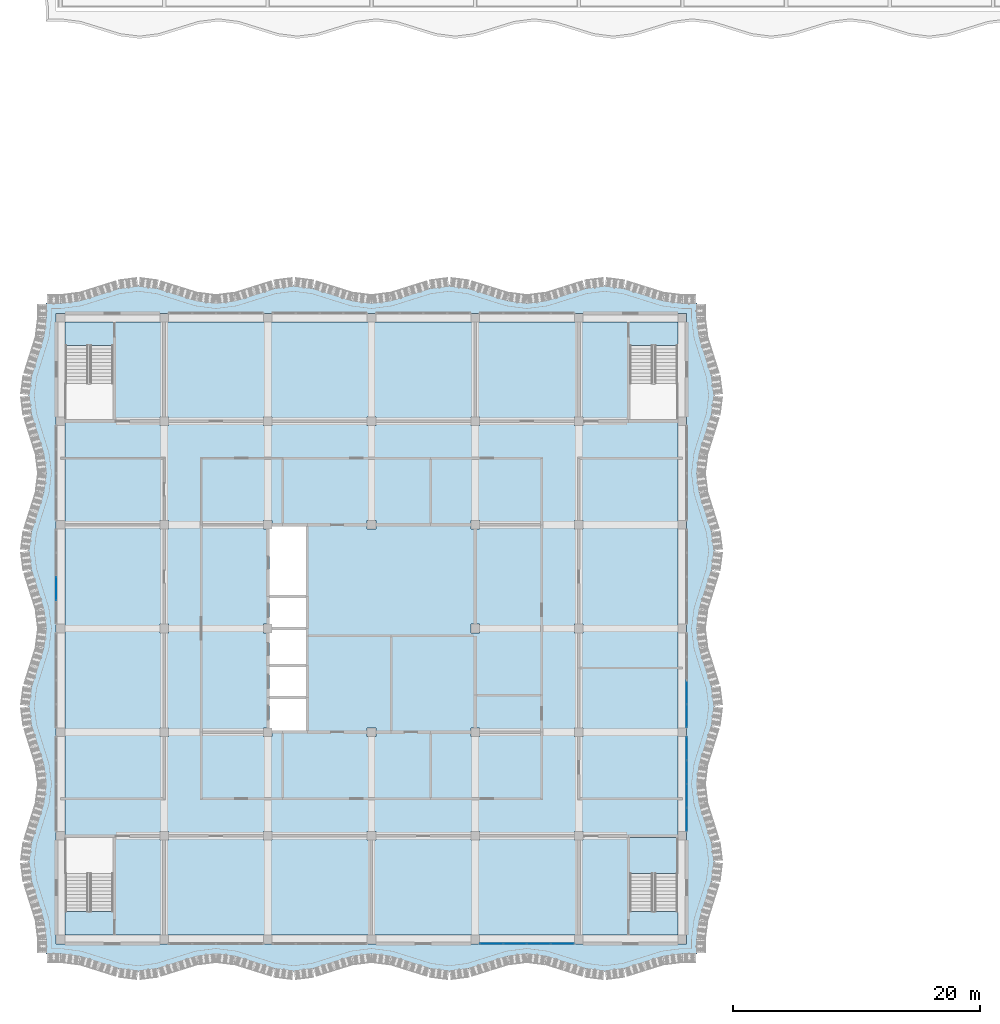
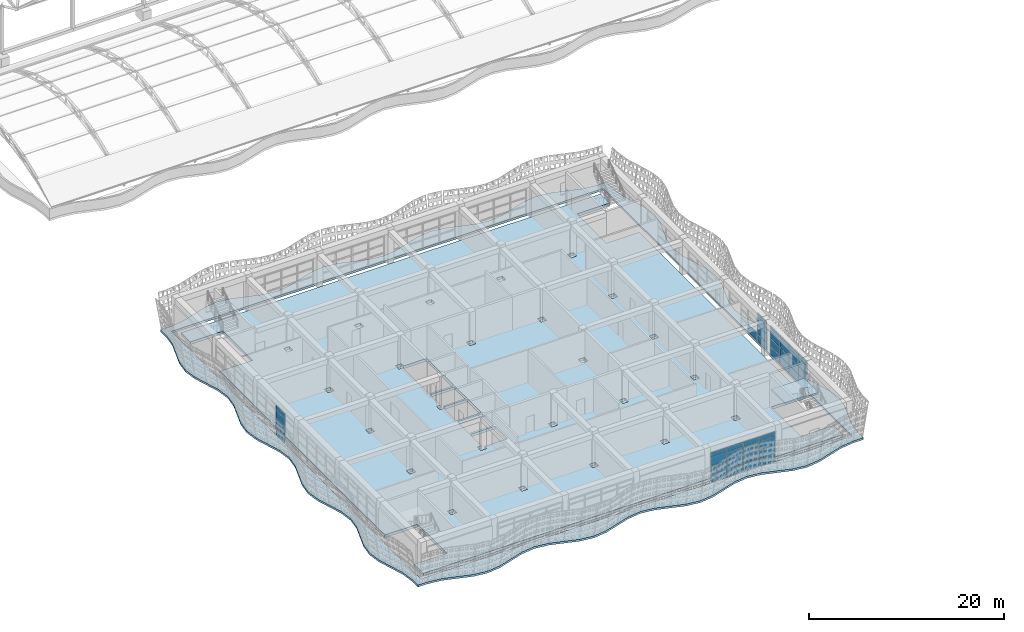
# One storey, part 97 of 163: 41 plates, 3 slabs, 5 elements without a shape of their own.
"""IFC4 building model written with IfcOpenShell, lengths in metres."""

from ifc_helpers import new_model, si_unit, direction, frame, origin, origin_2d, place, context, subcontext, project, spatial, polyline, rectangle, outline, extrude, material, layer, layer_set, type_object, element, aggregate, save


model = new_model("IFC4")

# Units and contexts
model_context = context("Model", 3, precision=1e-05, world=origin(), true_north=direction((0.0, 1.0)))
body_context = subcontext(model_context, "Body", "Model", "MODEL_VIEW")
ifc_project = project(units=[si_unit("LENGTHUNIT", "METRE"), si_unit("AREAUNIT", "SQUARE_METRE"), si_unit("VOLUMEUNIT", "CUBIC_METRE"), si_unit("PLANEANGLEUNIT", "RADIAN"), si_unit("MASSUNIT", "GRAM", prefix="KILO")], contexts=[model_context])

# Site, building, storey
site_placement = place(None, origin())
site = spatial("IfcSite", under=ifc_project, at=site_placement, CompositionType="ELEMENT")
building_placement = place(site_placement, origin())
building = spatial("IfcBuilding", under=site, at=building_placement, Name="Rain Tree Exposition and Congress Centre", CompositionType="ELEMENT")
storey_placement = place(building_placement, frame((0.0, 0.0, 10.5)))
storey = spatial("IfcBuildingStorey", under=building, at=storey_placement, Name="L02", CompositionType="ELEMENT", Elevation=10.5)

# Slab
ifc_material_1 = material(Name="Concrete C40/50", Category="concrete")
ifc_layer_1 = layer(ifc_material_1, 0.25)
ifc_layer_set_1 = layer_set([ifc_layer_1], Name="Concrete C40/50")
slab_type_1 = type_object("IfcSlabType", Name="Wave ledge slab 250", PredefinedType="FLOOR", material=ifc_layer_set_1)
slab_1_placement = place(storey_placement, frame((0.0, 0.0, -0.25)))
element("IfcSlab", 1, at=slab_1_placement, inside=storey, type_object=slab_type_1, Name="wing/ledge/L02/01", PredefinedType="FLOOR", context=body_context, shape_type="SweptSolid", body=[
    extrude(outline(polyline([(-1.1875, -1.1875), (0.0, -1.1875), (1.574951171875, -1.392578125), (3.14990234375, -1.8876953125), (4.72509765625, -2.382568359375), (6.300048828125, -2.587646484375), (7.875, -2.382568359375), (9.449951171875, -1.8876953125), (11.02490234375, -1.392578125), (12.60009765625, -1.1875), (14.175048828125, -1.392578125), (15.75, -1.8876953125), (17.324951171875, -2.382568359375), (18.89990234375, -2.587646484375), (20.47509765625, -2.382568359375), (22.050048828125, -1.8876953125), (23.625, -1.392578125), (25.199951171875, -1.1875), (26.77490234375, -1.392578125), (28.35009765625, -1.8876953125), (29.925048828125, -2.382568359375), (31.5, -2.587646484375), (33.074951171875, -2.382568359375), (34.64990234375, -1.8876953125), (36.22509765625, -1.392578125), (37.800048828125, -1.1875), (39.375, -1.392578125), (40.949951171875, -1.8876953125), (42.52490234375, -2.382568359375), (44.10009765625, -2.587646484375), (45.675048828125, -2.382568359375), (47.25, -1.8876953125), (48.824951171875, -1.392578125), (50.39990234375, -1.1875), (51.587646484375, -1.1875), (51.587646484375, 0.0), (51.79248046875, 1.574951171875), (52.28759765625, 3.14990234375), (52.78271484375, 4.72509765625), (52.987548828125, 6.300048828125), (52.78271484375, 7.875), (52.28759765625, 9.449951171875), (51.79248046875, 11.02490234375), (51.587646484375, 12.60009765625), (51.79248046875, 14.175048828125), (52.28759765625, 15.75), (52.78271484375, 17.324951171875), (52.987548828125, 18.89990234375), (52.78271484375, 20.47509765625), (52.28759765625, 22.050048828125), (51.79248046875, 23.625), (51.587646484375, 25.199951171875), (51.79248046875, 26.77490234375), (52.28759765625, 28.35009765625), (52.78271484375, 29.925048828125), (52.987548828125, 31.5), (52.78271484375, 33.074951171875), (52.28759765625, 34.64990234375), (51.79248046875, 36.22509765625), (51.587646484375, 37.800048828125), (51.79248046875, 39.375), (52.28759765625, 40.949951171875), (52.78271484375, 42.52490234375), (52.987548828125, 44.10009765625), (52.78271484375, 45.675048828125), (52.28759765625, 47.25), (51.79248046875, 48.824951171875), (51.587646484375, 50.39990234375), (51.587646484375, 51.587646484375), (50.39990234375, 51.587646484375), (48.824951171875, 51.79248046875), (47.25, 52.28759765625), (45.675048828125, 52.78271484375), (44.10009765625, 52.987548828125), (42.52490234375, 52.78271484375), (40.949951171875, 52.28759765625), (39.375, 51.79248046875), (37.800048828125, 51.587646484375), (36.22509765625, 51.79248046875), (34.64990234375, 52.28759765625), (33.074951171875, 52.78271484375), (31.5, 52.987548828125), (29.925048828125, 52.78271484375), (28.35009765625, 52.28759765625), (26.77490234375, 51.79248046875), (25.199951171875, 51.587646484375), (23.625, 51.79248046875), (22.050048828125, 52.28759765625), (20.47509765625, 52.78271484375), (18.89990234375, 52.987548828125), (17.324951171875, 52.78271484375), (15.75, 52.28759765625), (14.175048828125, 51.79248046875), (12.60009765625, 51.587646484375), (11.02490234375, 51.79248046875), (9.449951171875, 52.28759765625), (7.875, 52.78271484375), (6.300048828125, 52.987548828125), (4.72509765625, 52.78271484375), (3.14990234375, 52.28759765625), (1.574951171875, 51.79248046875), (0.0, 51.587646484375), (-1.1875, 51.587646484375), (-1.1875, 50.39990234375), (-1.392578125, 48.824951171875), (-1.8876953125, 47.25), (-2.382568359375, 45.675048828125), (-2.587646484375, 44.10009765625), (-2.382568359375, 42.52490234375), (-1.8876953125, 40.949951171875), (-1.392578125, 39.375), (-1.1875, 37.800048828125), (-1.392578125, 36.22509765625), (-1.8876953125, 34.64990234375), (-2.382568359375, 33.074951171875), (-2.587646484375, 31.5), (-2.382568359375, 29.925048828125), (-1.8876953125, 28.35009765625), (-1.392578125, 26.77490234375), (-1.1875, 25.199951171875), (-1.392578125, 23.625), (-1.8876953125, 22.050048828125), (-2.382568359375, 20.47509765625), (-2.587646484375, 18.89990234375), (-2.382568359375, 17.324951171875), (-1.8876953125, 15.75), (-1.392578125, 14.175048828125), (-1.1875, 12.60009765625), (-1.392578125, 11.02490234375), (-1.8876953125, 9.449951171875), (-2.382568359375, 7.875), (-2.587646484375, 6.300048828125), (-2.382568359375, 4.72509765625), (-1.8876953125, 3.14990234375), (-1.392578125, 1.574951171875), (-1.1875, 0.0), (-1.1875, -1.1875)]), holes=[polyline([(50.75, 50.75), (50.75, -0.35009765625), (-0.35009765625, -0.35009765625), (-0.35009765625, 50.75), (50.75, 50.75)])]), origin(), (0.0, 0.0, 1.0), 0.25),
])

# Curtain wall, plates
ifc_material_2 = material(Name="Aluminium curtain wall", Category="aluminium")
curtain_wall_type = type_object("IfcCurtainWallType", Name="Wing curtain wall 1925", PredefinedType="NOTDEFINED", material=ifc_material_2)
curtain_wall_1_placement = place(storey_placement, origin())
curtain_wall_1 = element("IfcCurtainWall", 2, at=curtain_wall_1_placement, inside=storey, type_object=curtain_wall_type, Name="Curtain wall CWW303", PredefinedType="NOTDEFINED")
ifc_material_3 = material(Name="Double glazed unit", Category="glass")
ifc_layer_2 = layer(ifc_material_3, 0.028076171875)
ifc_layer_set_2 = layer_set([ifc_layer_2], Name="Double glazed unit")
plate_type = type_object("IfcPlateType", Name="Wing glazing panel 28", PredefinedType="CURTAIN_PANEL", material=ifc_layer_set_2)
plate_1_placement = place(storey_placement, frame((34.927490234375, -0.35009765625, 0.06005859375), z_axis=(0.0, 0.0, 1.0), x_axis=(1.0, 0.0, 0.0)))
plate_1 = element("IfcPlate", 3, at=plate_1_placement, type_object=plate_type, Name="CWW303 panel 1.1", PredefinedType="CURTAIN_PANEL", context=body_context, shape_type="SweptSolid", body=[
    extrude(rectangle(XDim=1.8349609375, YDim=0.028076171875, at=origin_2d()), origin(), (0.0, 0.0, 1.0), 0.9599609375),
])
plate_2_placement = place(storey_placement, frame((34.927490234375, -0.35009765625, 1.080078125), z_axis=(0.0, 0.0, 1.0), x_axis=(1.0, 0.0, 0.0)))
plate_2 = element("IfcPlate", 4, at=plate_2_placement, type_object=plate_type, Name="CWW303 panel 1.2", PredefinedType="CURTAIN_PANEL", context=body_context, shape_type="SweptSolid", body=[
    extrude(rectangle(XDim=1.8349609375, YDim=0.028076171875, at=origin_2d()), origin(), (0.0, 0.0, 1.0), 0.989990234375),
])
plate_3_placement = place(storey_placement, frame((34.927490234375, -0.35009765625, 2.1298828125), z_axis=(0.0, 0.0, 1.0), x_axis=(1.0, 0.0, 0.0)))
plate_3 = element("IfcPlate", 5, at=plate_3_placement, type_object=plate_type, Name="CWW303 panel 1.3", PredefinedType="CURTAIN_PANEL", context=body_context, shape_type="SweptSolid", body=[
    extrude(rectangle(XDim=1.8349609375, YDim=0.028076171875, at=origin_2d()), origin(), (0.0, 0.0, 1.0), 0.989990234375),
])
plate_4_placement = place(storey_placement, frame((34.927490234375, -0.35009765625, 3.179931640625), z_axis=(0.0, 0.0, 1.0), x_axis=(1.0, 0.0, 0.0)))
plate_4 = element("IfcPlate", 6, at=plate_4_placement, type_object=plate_type, Name="CWW303 panel 1.4", PredefinedType="CURTAIN_PANEL", context=body_context, shape_type="SweptSolid", body=[
    extrude(rectangle(XDim=1.8349609375, YDim=0.028076171875, at=origin_2d()), origin(), (0.0, 0.0, 1.0), 0.56005859375),
])
plate_5_placement = place(storey_placement, frame((36.83740234375, -0.35009765625, 0.06005859375), z_axis=(0.0, 0.0, 1.0), x_axis=(1.0, 0.0, 0.0)))
plate_5 = element("IfcPlate", 7, at=plate_5_placement, type_object=plate_type, Name="CWW303 panel 2.1", PredefinedType="CURTAIN_PANEL", context=body_context, shape_type="SweptSolid", body=[
    extrude(rectangle(XDim=1.864990234375, YDim=0.028076171875, at=origin_2d()), origin(), (0.0, 0.0, 1.0), 0.9599609375),
])
plate_6_placement = place(storey_placement, frame((36.83740234375, -0.35009765625, 1.080078125), z_axis=(0.0, 0.0, 1.0), x_axis=(1.0, 0.0, 0.0)))
plate_6 = element("IfcPlate", 8, at=plate_6_placement, type_object=plate_type, Name="CWW303 panel 2.2", PredefinedType="CURTAIN_PANEL", context=body_context, shape_type="SweptSolid", body=[
    extrude(rectangle(XDim=1.864990234375, YDim=0.028076171875, at=origin_2d()), origin(), (0.0, 0.0, 1.0), 0.989990234375),
])
plate_7_placement = place(storey_placement, frame((36.83740234375, -0.35009765625, 2.1298828125), z_axis=(0.0, 0.0, 1.0), x_axis=(1.0, 0.0, 0.0)))
plate_7 = element("IfcPlate", 9, at=plate_7_placement, type_object=plate_type, Name="CWW303 panel 2.3", PredefinedType="CURTAIN_PANEL", context=body_context, shape_type="SweptSolid", body=[
    extrude(rectangle(XDim=1.864990234375, YDim=0.028076171875, at=origin_2d()), origin(), (0.0, 0.0, 1.0), 0.989990234375),
])
plate_8_placement = place(storey_placement, frame((36.83740234375, -0.35009765625, 3.179931640625), z_axis=(0.0, 0.0, 1.0), x_axis=(1.0, 0.0, 0.0)))
plate_8 = element("IfcPlate", 10, at=plate_8_placement, type_object=plate_type, Name="CWW303 panel 2.4", PredefinedType="CURTAIN_PANEL", context=body_context, shape_type="SweptSolid", body=[
    extrude(rectangle(XDim=1.864990234375, YDim=0.028076171875, at=origin_2d()), origin(), (0.0, 0.0, 1.0), 0.56005859375),
])
plate_9_placement = place(storey_placement, frame((38.762451171875, -0.35009765625, 0.06005859375), z_axis=(0.0, 0.0, 1.0), x_axis=(1.0, 0.0, 0.0)))
plate_9 = element("IfcPlate", 11, at=plate_9_placement, type_object=plate_type, Name="CWW303 panel 3.1", PredefinedType="CURTAIN_PANEL", context=body_context, shape_type="SweptSolid", body=[
    extrude(rectangle(XDim=1.864990234375, YDim=0.028076171875, at=origin_2d()), origin(), (0.0, 0.0, 1.0), 0.9599609375),
])
plate_10_placement = place(storey_placement, frame((38.762451171875, -0.35009765625, 1.080078125), z_axis=(0.0, 0.0, 1.0), x_axis=(1.0, 0.0, 0.0)))
plate_10 = element("IfcPlate", 12, at=plate_10_placement, type_object=plate_type, Name="CWW303 panel 3.2", PredefinedType="CURTAIN_PANEL", context=body_context, shape_type="SweptSolid", body=[
    extrude(rectangle(XDim=1.864990234375, YDim=0.028076171875, at=origin_2d()), origin(), (0.0, 0.0, 1.0), 0.989990234375),
])
plate_11_placement = place(storey_placement, frame((38.762451171875, -0.35009765625, 2.1298828125), z_axis=(0.0, 0.0, 1.0), x_axis=(1.0, 0.0, 0.0)))
plate_11 = element("IfcPlate", 13, at=plate_11_placement, type_object=plate_type, Name="CWW303 panel 3.3", PredefinedType="CURTAIN_PANEL", context=body_context, shape_type="SweptSolid", body=[
    extrude(rectangle(XDim=1.864990234375, YDim=0.028076171875, at=origin_2d()), origin(), (0.0, 0.0, 1.0), 0.989990234375),
])
plate_12_placement = place(storey_placement, frame((38.762451171875, -0.35009765625, 3.179931640625), z_axis=(0.0, 0.0, 1.0), x_axis=(1.0, 0.0, 0.0)))
plate_12 = element("IfcPlate", 14, at=plate_12_placement, type_object=plate_type, Name="CWW303 panel 3.4", PredefinedType="CURTAIN_PANEL", context=body_context, shape_type="SweptSolid", body=[
    extrude(rectangle(XDim=1.864990234375, YDim=0.028076171875, at=origin_2d()), origin(), (0.0, 0.0, 1.0), 0.56005859375),
])
plate_13_placement = place(storey_placement, frame((40.672607421875, -0.35009765625, 0.06005859375), z_axis=(0.0, 0.0, 1.0), x_axis=(1.0, 0.0, 0.0)))
plate_13 = element("IfcPlate", 15, at=plate_13_placement, type_object=plate_type, Name="CWW303 panel 4.1", PredefinedType="CURTAIN_PANEL", context=body_context, shape_type="SweptSolid", body=[
    extrude(rectangle(XDim=1.8349609375, YDim=0.028076171875, at=origin_2d()), origin(), (0.0, 0.0, 1.0), 0.9599609375),
])
plate_14_placement = place(storey_placement, frame((40.672607421875, -0.35009765625, 1.080078125), z_axis=(0.0, 0.0, 1.0), x_axis=(1.0, 0.0, 0.0)))
plate_14 = element("IfcPlate", 16, at=plate_14_placement, type_object=plate_type, Name="CWW303 panel 4.2", PredefinedType="CURTAIN_PANEL", context=body_context, shape_type="SweptSolid", body=[
    extrude(rectangle(XDim=1.8349609375, YDim=0.028076171875, at=origin_2d()), origin(), (0.0, 0.0, 1.0), 0.989990234375),
])
plate_15_placement = place(storey_placement, frame((40.672607421875, -0.35009765625, 2.1298828125), z_axis=(0.0, 0.0, 1.0), x_axis=(1.0, 0.0, 0.0)))
plate_15 = element("IfcPlate", 17, at=plate_15_placement, type_object=plate_type, Name="CWW303 panel 4.3", PredefinedType="CURTAIN_PANEL", context=body_context, shape_type="SweptSolid", body=[
    extrude(rectangle(XDim=1.8349609375, YDim=0.028076171875, at=origin_2d()), origin(), (0.0, 0.0, 1.0), 0.989990234375),
])
plate_16_placement = place(storey_placement, frame((40.672607421875, -0.35009765625, 3.179931640625), z_axis=(0.0, 0.0, 1.0), x_axis=(1.0, 0.0, 0.0)))
plate_16 = element("IfcPlate", 18, at=plate_16_placement, type_object=plate_type, Name="CWW303 panel 4.4", PredefinedType="CURTAIN_PANEL", context=body_context, shape_type="SweptSolid", body=[
    extrude(rectangle(XDim=1.8349609375, YDim=0.028076171875, at=origin_2d()), origin(), (0.0, 0.0, 1.0), 0.56005859375),
])
aggregate(curtain_wall_1, [plate_1, plate_2, plate_3, plate_4, plate_5, plate_6, plate_7, plate_8, plate_9, plate_10, plate_11, plate_12, plate_13, plate_14, plate_15, plate_16])

curtain_wall_2_placement = place(storey_placement, origin())
curtain_wall_2 = element("IfcCurtainWall", 19, at=curtain_wall_2_placement, inside=storey, type_object=curtain_wall_type, Name="Curtain wall CWW310", PredefinedType="NOTDEFINED")
plate_17_placement = place(storey_placement, frame((-0.35009765625, 28.4375, 0.06005859375), z_axis=(0.0, 0.0, 1.0), x_axis=(0.0, 1.0, 0.0)))
plate_17 = element("IfcPlate", 20, at=plate_17_placement, type_object=plate_type, Name="CWW310 panel 2.1", PredefinedType="CURTAIN_PANEL", context=body_context, shape_type="SweptSolid", body=[
    extrude(rectangle(XDim=1.864990234375, YDim=0.028076171875, at=origin_2d()), origin(), (0.0, 0.0, 1.0), 0.9599609375),
])
plate_18_placement = place(storey_placement, frame((-0.35009765625, 28.4375, 1.080078125), z_axis=(0.0, 0.0, 1.0), x_axis=(0.0, 1.0, 0.0)))
plate_18 = element("IfcPlate", 21, at=plate_18_placement, type_object=plate_type, Name="CWW310 panel 2.2", PredefinedType="CURTAIN_PANEL", context=body_context, shape_type="SweptSolid", body=[
    extrude(rectangle(XDim=1.864990234375, YDim=0.028076171875, at=origin_2d()), origin(), (0.0, 0.0, 1.0), 0.989990234375),
])
plate_19_placement = place(storey_placement, frame((-0.35009765625, 28.4375, 2.1298828125), z_axis=(0.0, 0.0, 1.0), x_axis=(0.0, 1.0, 0.0)))
plate_19 = element("IfcPlate", 22, at=plate_19_placement, type_object=plate_type, Name="CWW310 panel 2.3", PredefinedType="CURTAIN_PANEL", context=body_context, shape_type="SweptSolid", body=[
    extrude(rectangle(XDim=1.864990234375, YDim=0.028076171875, at=origin_2d()), origin(), (0.0, 0.0, 1.0), 0.989990234375),
])
plate_20_placement = place(storey_placement, frame((-0.35009765625, 28.4375, 3.179931640625), z_axis=(0.0, 0.0, 1.0), x_axis=(0.0, 1.0, 0.0)))
plate_20 = element("IfcPlate", 23, at=plate_20_placement, type_object=plate_type, Name="CWW310 panel 2.4", PredefinedType="CURTAIN_PANEL", context=body_context, shape_type="SweptSolid", body=[
    extrude(rectangle(XDim=1.864990234375, YDim=0.028076171875, at=origin_2d()), origin(), (0.0, 0.0, 1.0), 0.56005859375),
])
aggregate(curtain_wall_2, [plate_17, plate_18, plate_19, plate_20])

curtain_wall_3_placement = place(storey_placement, origin())
curtain_wall_3 = element("IfcCurtainWall", 24, at=curtain_wall_3_placement, inside=storey, type_object=curtain_wall_type, Name="Curtain wall CWW312", PredefinedType="NOTDEFINED")
plate_21_placement = place(storey_placement, frame((50.75, 9.7275390625, 0.06005859375), z_axis=(0.0, 0.0, 1.0), x_axis=(0.0, 1.0, 0.0)))
plate_21 = element("IfcPlate", 25, at=plate_21_placement, type_object=plate_type, Name="CWW312 panel 1.1", PredefinedType="CURTAIN_PANEL", context=body_context, shape_type="SweptSolid", body=[
    extrude(rectangle(XDim=1.8349609375, YDim=0.028076171875, at=origin_2d()), origin(), (0.0, 0.0, 1.0), 0.9599609375),
])
plate_22_placement = place(storey_placement, frame((50.75, 9.7275390625, 1.080078125), z_axis=(0.0, 0.0, 1.0), x_axis=(0.0, 1.0, 0.0)))
plate_22 = element("IfcPlate", 26, at=plate_22_placement, type_object=plate_type, Name="CWW312 panel 1.2", PredefinedType="CURTAIN_PANEL", context=body_context, shape_type="SweptSolid", body=[
    extrude(rectangle(XDim=1.8349609375, YDim=0.028076171875, at=origin_2d()), origin(), (0.0, 0.0, 1.0), 0.989990234375),
])
plate_23_placement = place(storey_placement, frame((50.75, 9.7275390625, 2.1298828125), z_axis=(0.0, 0.0, 1.0), x_axis=(0.0, 1.0, 0.0)))
plate_23 = element("IfcPlate", 27, at=plate_23_placement, type_object=plate_type, Name="CWW312 panel 1.3", PredefinedType="CURTAIN_PANEL", context=body_context, shape_type="SweptSolid", body=[
    extrude(rectangle(XDim=1.8349609375, YDim=0.028076171875, at=origin_2d()), origin(), (0.0, 0.0, 1.0), 0.989990234375),
])
plate_24_placement = place(storey_placement, frame((50.75, 9.7275390625, 3.179931640625), z_axis=(0.0, 0.0, 1.0), x_axis=(0.0, 1.0, 0.0)))
plate_24 = element("IfcPlate", 28, at=plate_24_placement, type_object=plate_type, Name="CWW312 panel 1.4", PredefinedType="CURTAIN_PANEL", context=body_context, shape_type="SweptSolid", body=[
    extrude(rectangle(XDim=1.8349609375, YDim=0.028076171875, at=origin_2d()), origin(), (0.0, 0.0, 1.0), 0.56005859375),
])
plate_25_placement = place(storey_placement, frame((50.75, 11.637451171875, 0.06005859375), z_axis=(0.0, 0.0, 1.0), x_axis=(0.0, 1.0, 0.0)))
plate_25 = element("IfcPlate", 29, at=plate_25_placement, type_object=plate_type, Name="CWW312 panel 2.1", PredefinedType="CURTAIN_PANEL", context=body_context, shape_type="SweptSolid", body=[
    extrude(rectangle(XDim=1.864990234375, YDim=0.028076171875, at=origin_2d()), origin(), (0.0, 0.0, 1.0), 0.9599609375),
])
plate_26_placement = place(storey_placement, frame((50.75, 11.637451171875, 1.080078125), z_axis=(0.0, 0.0, 1.0), x_axis=(0.0, 1.0, 0.0)))
plate_26 = element("IfcPlate", 30, at=plate_26_placement, type_object=plate_type, Name="CWW312 panel 2.2", PredefinedType="CURTAIN_PANEL", context=body_context, shape_type="SweptSolid", body=[
    extrude(rectangle(XDim=1.864990234375, YDim=0.028076171875, at=origin_2d()), origin(), (0.0, 0.0, 1.0), 0.989990234375),
])
plate_27_placement = place(storey_placement, frame((50.75, 11.637451171875, 2.1298828125), z_axis=(0.0, 0.0, 1.0), x_axis=(0.0, 1.0, 0.0)))
plate_27 = element("IfcPlate", 31, at=plate_27_placement, type_object=plate_type, Name="CWW312 panel 2.3", PredefinedType="CURTAIN_PANEL", context=body_context, shape_type="SweptSolid", body=[
    extrude(rectangle(XDim=1.864990234375, YDim=0.028076171875, at=origin_2d()), origin(), (0.0, 0.0, 1.0), 0.989990234375),
])
plate_28_placement = place(storey_placement, frame((50.75, 11.637451171875, 3.179931640625), z_axis=(0.0, 0.0, 1.0), x_axis=(0.0, 1.0, 0.0)))
plate_28 = element("IfcPlate", 32, at=plate_28_placement, type_object=plate_type, Name="CWW312 panel 2.4", PredefinedType="CURTAIN_PANEL", context=body_context, shape_type="SweptSolid", body=[
    extrude(rectangle(XDim=1.864990234375, YDim=0.028076171875, at=origin_2d()), origin(), (0.0, 0.0, 1.0), 0.56005859375),
])
plate_29_placement = place(storey_placement, frame((50.75, 13.5625, 0.06005859375), z_axis=(0.0, 0.0, 1.0), x_axis=(0.0, 1.0, 0.0)))
plate_29 = element("IfcPlate", 33, at=plate_29_placement, type_object=plate_type, Name="CWW312 panel 3.1", PredefinedType="CURTAIN_PANEL", context=body_context, shape_type="SweptSolid", body=[
    extrude(rectangle(XDim=1.864990234375, YDim=0.028076171875, at=origin_2d()), origin(), (0.0, 0.0, 1.0), 0.9599609375),
])
plate_30_placement = place(storey_placement, frame((50.75, 13.5625, 1.080078125), z_axis=(0.0, 0.0, 1.0), x_axis=(0.0, 1.0, 0.0)))
plate_30 = element("IfcPlate", 34, at=plate_30_placement, type_object=plate_type, Name="CWW312 panel 3.2", PredefinedType="CURTAIN_PANEL", context=body_context, shape_type="SweptSolid", body=[
    extrude(rectangle(XDim=1.864990234375, YDim=0.028076171875, at=origin_2d()), origin(), (0.0, 0.0, 1.0), 0.989990234375),
])
plate_31_placement = place(storey_placement, frame((50.75, 13.5625, 2.1298828125), z_axis=(0.0, 0.0, 1.0), x_axis=(0.0, 1.0, 0.0)))
plate_31 = element("IfcPlate", 35, at=plate_31_placement, type_object=plate_type, Name="CWW312 panel 3.3", PredefinedType="CURTAIN_PANEL", context=body_context, shape_type="SweptSolid", body=[
    extrude(rectangle(XDim=1.864990234375, YDim=0.028076171875, at=origin_2d()), origin(), (0.0, 0.0, 1.0), 0.989990234375),
])
plate_32_placement = place(storey_placement, frame((50.75, 13.5625, 3.179931640625), z_axis=(0.0, 0.0, 1.0), x_axis=(0.0, 1.0, 0.0)))
plate_32 = element("IfcPlate", 36, at=plate_32_placement, type_object=plate_type, Name="CWW312 panel 3.4", PredefinedType="CURTAIN_PANEL", context=body_context, shape_type="SweptSolid", body=[
    extrude(rectangle(XDim=1.864990234375, YDim=0.028076171875, at=origin_2d()), origin(), (0.0, 0.0, 1.0), 0.56005859375),
])
plate_33_placement = place(storey_placement, frame((50.75, 15.472412109375, 0.06005859375), z_axis=(0.0, 0.0, 1.0), x_axis=(0.0, 1.0, 0.0)))
plate_33 = element("IfcPlate", 37, at=plate_33_placement, type_object=plate_type, Name="CWW312 panel 4.1", PredefinedType="CURTAIN_PANEL", context=body_context, shape_type="SweptSolid", body=[
    extrude(rectangle(XDim=1.8349609375, YDim=0.028076171875, at=origin_2d()), origin(), (0.0, 0.0, 1.0), 0.9599609375),
])
plate_34_placement = place(storey_placement, frame((50.75, 15.472412109375, 1.080078125), z_axis=(0.0, 0.0, 1.0), x_axis=(0.0, 1.0, 0.0)))
plate_34 = element("IfcPlate", 38, at=plate_34_placement, type_object=plate_type, Name="CWW312 panel 4.2", PredefinedType="CURTAIN_PANEL", context=body_context, shape_type="SweptSolid", body=[
    extrude(rectangle(XDim=1.8349609375, YDim=0.028076171875, at=origin_2d()), origin(), (0.0, 0.0, 1.0), 0.989990234375),
])
plate_35_placement = place(storey_placement, frame((50.75, 15.472412109375, 2.1298828125), z_axis=(0.0, 0.0, 1.0), x_axis=(0.0, 1.0, 0.0)))
plate_35 = element("IfcPlate", 39, at=plate_35_placement, type_object=plate_type, Name="CWW312 panel 4.3", PredefinedType="CURTAIN_PANEL", context=body_context, shape_type="SweptSolid", body=[
    extrude(rectangle(XDim=1.8349609375, YDim=0.028076171875, at=origin_2d()), origin(), (0.0, 0.0, 1.0), 0.989990234375),
])
plate_36_placement = place(storey_placement, frame((50.75, 15.472412109375, 3.179931640625), z_axis=(0.0, 0.0, 1.0), x_axis=(0.0, 1.0, 0.0)))
plate_36 = element("IfcPlate", 40, at=plate_36_placement, type_object=plate_type, Name="CWW312 panel 4.4", PredefinedType="CURTAIN_PANEL", context=body_context, shape_type="SweptSolid", body=[
    extrude(rectangle(XDim=1.8349609375, YDim=0.028076171875, at=origin_2d()), origin(), (0.0, 0.0, 1.0), 0.56005859375),
])
aggregate(curtain_wall_3, [plate_21, plate_22, plate_23, plate_24, plate_25, plate_26, plate_27, plate_28, plate_29, plate_30, plate_31, plate_32, plate_33, plate_34, plate_35, plate_36])

curtain_wall_4_placement = place(storey_placement, origin())
curtain_wall_4 = element("IfcCurtainWall", 41, at=curtain_wall_4_placement, inside=storey, type_object=curtain_wall_type, Name="Curtain wall CWW313", PredefinedType="NOTDEFINED")
plate_37_placement = place(storey_placement, frame((50.75, 18.12744140625, 0.06005859375), z_axis=(0.0, 0.0, 1.0), x_axis=(0.0, 1.0, 0.0)))
plate_37 = element("IfcPlate", 42, at=plate_37_placement, type_object=plate_type, Name="CWW313 panel 1.1", PredefinedType="CURTAIN_PANEL", context=body_context, shape_type="SweptSolid", body=[
    extrude(rectangle(XDim=1.8349609375, YDim=0.028076171875, at=origin_2d()), origin(), (0.0, 0.0, 1.0), 0.9599609375),
])
plate_38_placement = place(storey_placement, frame((50.75, 18.12744140625, 1.080078125), z_axis=(0.0, 0.0, 1.0), x_axis=(0.0, 1.0, 0.0)))
plate_38 = element("IfcPlate", 43, at=plate_38_placement, type_object=plate_type, Name="CWW313 panel 1.2", PredefinedType="CURTAIN_PANEL", context=body_context, shape_type="SweptSolid", body=[
    extrude(rectangle(XDim=1.8349609375, YDim=0.028076171875, at=origin_2d()), origin(), (0.0, 0.0, 1.0), 0.989990234375),
])
plate_39_placement = place(storey_placement, frame((50.75, 18.12744140625, 2.1298828125), z_axis=(0.0, 0.0, 1.0), x_axis=(0.0, 1.0, 0.0)))
plate_39 = element("IfcPlate", 44, at=plate_39_placement, type_object=plate_type, Name="CWW313 panel 1.3", PredefinedType="CURTAIN_PANEL", context=body_context, shape_type="SweptSolid", body=[
    extrude(rectangle(XDim=1.8349609375, YDim=0.028076171875, at=origin_2d()), origin(), (0.0, 0.0, 1.0), 0.989990234375),
])
plate_40_placement = place(storey_placement, frame((50.75, 18.12744140625, 3.179931640625), z_axis=(0.0, 0.0, 1.0), x_axis=(0.0, 1.0, 0.0)))
plate_40 = element("IfcPlate", 45, at=plate_40_placement, type_object=plate_type, Name="CWW313 panel 1.4", PredefinedType="CURTAIN_PANEL", context=body_context, shape_type="SweptSolid", body=[
    extrude(rectangle(XDim=1.8349609375, YDim=0.028076171875, at=origin_2d()), origin(), (0.0, 0.0, 1.0), 0.56005859375),
])
plate_41_placement = place(storey_placement, frame((50.75, 20.03759765625, 0.06005859375), z_axis=(0.0, 0.0, 1.0), x_axis=(0.0, 1.0, 0.0)))
plate_41 = element("IfcPlate", 46, at=plate_41_placement, type_object=plate_type, Name="CWW313 panel 2.1", PredefinedType="CURTAIN_PANEL", context=body_context, shape_type="SweptSolid", body=[
    extrude(rectangle(XDim=1.864990234375, YDim=0.028076171875, at=origin_2d()), origin(), (0.0, 0.0, 1.0), 0.9599609375),
])
aggregate(curtain_wall_4, [plate_37, plate_38, plate_39, plate_40, plate_41])

# Slab
ifc_material_4 = material(Name="Precast concrete C50/60", Category="concrete")
ifc_layer_3 = layer(ifc_material_4, 0.35009765625)
ifc_layer_set_3 = layer_set([ifc_layer_3], Name="Precast concrete C50/60")
slab_type_2 = type_object("IfcSlabType", Name="Wing precast hollow-core floor 350", PredefinedType="FLOOR", material=ifc_layer_set_3)
slab_2_placement = place(storey_placement, frame((0.0, 0.0, -0.35009765625)))
element("IfcSlab", 47, at=slab_2_placement, inside=storey, type_object=slab_type_2, Name="wing/slab/L02/01", PredefinedType="FLOOR", context=body_context, shape_type="SweptSolid", body=[
    extrude(outline(polyline([(50.050048828125, 0.35009765625), (50.050048828125, 2.251953125), (46.14990234375, 2.251953125), (46.14990234375, 8.27490234375), (50.050048828125, 8.27490234375), (50.050048828125, 8.75), (50.050048828125, 16.449951171875), (50.050048828125, 17.14990234375), (50.050048828125, 24.85009765625), (50.050048828125, 25.550048828125), (50.050048828125, 33.25), (50.050048828125, 33.949951171875), (50.050048828125, 41.64990234375), (50.050048828125, 42.125), (46.14990234375, 42.125), (46.14990234375, 48.14794921875), (50.050048828125, 48.14794921875), (50.050048828125, 50.050048828125), (42.35009765625, 50.050048828125), (41.64990234375, 50.050048828125), (33.949951171875, 50.050048828125), (33.25, 50.050048828125), (25.550048828125, 50.050048828125), (24.85009765625, 50.050048828125), (17.14990234375, 50.050048828125), (16.449951171875, 50.050048828125), (8.75, 50.050048828125), (8.050048828125, 50.050048828125), (0.35009765625, 50.050048828125), (0.35009765625, 48.14794921875), (4.25, 48.14794921875), (4.25, 42.125), (0.35009765625, 42.125), (0.35009765625, 41.64990234375), (0.35009765625, 33.949951171875), (0.35009765625, 33.25), (0.35009765625, 25.550048828125), (0.35009765625, 24.85009765625), (0.35009765625, 17.14990234375), (0.35009765625, 16.449951171875), (0.35009765625, 8.75), (0.35009765625, 8.27490234375), (4.25, 8.27490234375), (4.25, 2.251953125), (0.35009765625, 2.251953125), (0.35009765625, 0.35009765625), (8.050048828125, 0.35009765625), (8.75, 0.35009765625), (16.449951171875, 0.35009765625), (17.14990234375, 0.35009765625), (24.85009765625, 0.35009765625), (25.550048828125, 0.35009765625), (33.25, 0.35009765625), (33.949951171875, 0.35009765625), (41.64990234375, 0.35009765625), (42.35009765625, 0.35009765625), (50.050048828125, 0.35009765625)]), holes=[polyline([(8.050048828125, 8.050048828125), (8.050048828125, 8.75), (8.75, 8.75), (8.75, 8.050048828125), (8.050048828125, 8.050048828125)]), polyline([(8.050048828125, 16.449951171875), (8.050048828125, 17.14990234375), (8.75, 17.14990234375), (8.75, 16.449951171875), (8.050048828125, 16.449951171875)]), polyline([(8.75, 24.85009765625), (8.050048828125, 24.85009765625), (8.050048828125, 25.550048828125), (8.75, 25.550048828125), (8.75, 24.85009765625)]), polyline([(8.050048828125, 33.25), (8.050048828125, 33.949951171875), (8.75, 33.949951171875), (8.75, 33.25), (8.050048828125, 33.25)]), polyline([(16.449951171875, 33.25), (16.449951171875, 33.949951171875), (17.14990234375, 33.949951171875), (17.14990234375, 33.47509765625), (19.875, 33.47509765625), (19.875, 27.925048828125), (16.949951171875, 27.925048828125), (16.949951171875, 33.25), (16.449951171875, 33.25)]), polyline([(8.050048828125, 41.64990234375), (8.050048828125, 42.35009765625), (8.75, 42.35009765625), (8.75, 41.64990234375), (8.050048828125, 41.64990234375)]), polyline([(17.14990234375, 41.64990234375), (16.449951171875, 41.64990234375), (16.449951171875, 42.35009765625), (17.14990234375, 42.35009765625), (17.14990234375, 41.64990234375)]), polyline([(33.25, 8.050048828125), (33.25, 8.75), (33.949951171875, 8.75), (33.949951171875, 8.050048828125), (33.25, 8.050048828125)]), polyline([(16.449951171875, 8.050048828125), (16.449951171875, 8.75), (17.14990234375, 8.75), (17.14990234375, 8.050048828125), (16.449951171875, 8.050048828125)]), polyline([(24.85009765625, 8.050048828125), (24.85009765625, 8.75), (25.550048828125, 8.75), (25.550048828125, 8.050048828125), (24.85009765625, 8.050048828125)]), polyline([(16.449951171875, 16.449951171875), (16.449951171875, 17.14990234375), (16.949951171875, 17.14990234375), (16.949951171875, 19.47509765625), (19.875, 19.47509765625), (19.875, 16.925048828125), (17.14990234375, 16.925048828125), (17.14990234375, 16.449951171875), (16.449951171875, 16.449951171875)]), polyline([(33.25, 16.449951171875), (33.25, 17.14990234375), (33.949951171875, 17.14990234375), (33.949951171875, 16.449951171875), (33.25, 16.449951171875)]), polyline([(24.85009765625, 16.449951171875), (24.85009765625, 17.14990234375), (25.550048828125, 17.14990234375), (25.550048828125, 16.449951171875), (24.85009765625, 16.449951171875)]), polyline([(16.949951171875, 19.72509765625), (16.949951171875, 22.074951171875), (19.875, 22.074951171875), (19.875, 19.72509765625), (16.949951171875, 19.72509765625)]), polyline([(16.949951171875, 22.324951171875), (16.949951171875, 24.85009765625), (16.449951171875, 24.85009765625), (16.449951171875, 25.550048828125), (16.949951171875, 25.550048828125), (16.949951171875, 27.675048828125), (19.875, 27.675048828125), (19.875, 25.324951171875), (17.14990234375, 25.324951171875), (17.14990234375, 25.074951171875), (19.875, 25.074951171875), (19.875, 22.324951171875), (16.949951171875, 22.324951171875)]), polyline([(33.25, 24.85009765625), (33.25, 25.550048828125), (33.949951171875, 25.550048828125), (33.949951171875, 24.85009765625), (33.25, 24.85009765625)]), polyline([(25.550048828125, 33.25), (24.85009765625, 33.25), (24.85009765625, 33.949951171875), (25.550048828125, 33.949951171875), (25.550048828125, 33.25)]), polyline([(24.85009765625, 41.64990234375), (24.85009765625, 42.35009765625), (25.550048828125, 42.35009765625), (25.550048828125, 41.64990234375), (24.85009765625, 41.64990234375)]), polyline([(42.35009765625, 8.050048828125), (41.64990234375, 8.050048828125), (41.64990234375, 8.75), (42.35009765625, 8.75), (42.35009765625, 8.050048828125)]), polyline([(41.64990234375, 16.449951171875), (41.64990234375, 17.14990234375), (42.35009765625, 17.14990234375), (42.35009765625, 16.449951171875), (41.64990234375, 16.449951171875)]), polyline([(41.64990234375, 24.85009765625), (41.64990234375, 25.550048828125), (42.35009765625, 25.550048828125), (42.35009765625, 24.85009765625), (41.64990234375, 24.85009765625)]), polyline([(41.64990234375, 33.25), (41.64990234375, 33.949951171875), (42.35009765625, 33.949951171875), (42.35009765625, 33.25), (41.64990234375, 33.25)]), polyline([(33.25, 33.25), (33.25, 33.949951171875), (33.949951171875, 33.949951171875), (33.949951171875, 33.25), (33.25, 33.25)]), polyline([(41.64990234375, 41.64990234375), (41.64990234375, 42.35009765625), (42.35009765625, 42.35009765625), (42.35009765625, 41.64990234375), (41.64990234375, 41.64990234375)]), polyline([(33.25, 41.64990234375), (33.25, 42.35009765625), (33.949951171875, 42.35009765625), (33.949951171875, 41.64990234375), (33.25, 41.64990234375)])]), origin(), (0.0, 0.0, 1.0), 0.35009765625),
])

# Stair, slab
ifc_material_5 = material(Name="Precast concrete C50/60", Category="concrete")
stair_type = type_object("IfcStairType", Name="Wing dog-leg stair 1850", PredefinedType="HALF_TURN_STAIR", material=ifc_material_5)
stair_placement = place(storey_placement, origin())
stair = element("IfcStair", 48, at=stair_placement, inside=storey, type_object=stair_type, Name="L02 ST-W2", PredefinedType="HALF_TURN_STAIR")
ifc_material_6 = material(Name="Precast concrete C50/60", Category="concrete")
ifc_layer_4 = layer(ifc_material_6, 0.199951171875)
ifc_layer_set_4 = layer_set([ifc_layer_4], Name="Precast concrete C50/60")
slab_type_3 = type_object("IfcSlabType", Name="Wing stair landing 200", PredefinedType="LANDING", material=ifc_layer_set_4)
slab_3_placement = place(storey_placement, frame((0.0, 0.0, 2.050048828125)))
slab_3 = element("IfcSlab", 49, at=slab_3_placement, type_object=slab_type_3, Name="ST-W2 landing 1", PredefinedType="LANDING", context=body_context, shape_type="SweptSolid", body=[
    extrude(outline(polyline([(46.125, 5.330078125), (46.125, 8.278076171875), (50.052978515625, 8.278076171875), (50.052978515625, 5.330078125), (46.125, 5.330078125)])), origin(), (0.0, 0.0, 1.0), 0.199951171875),
])
aggregate(stair, [slab_3])

save(model, "model.ifc")
